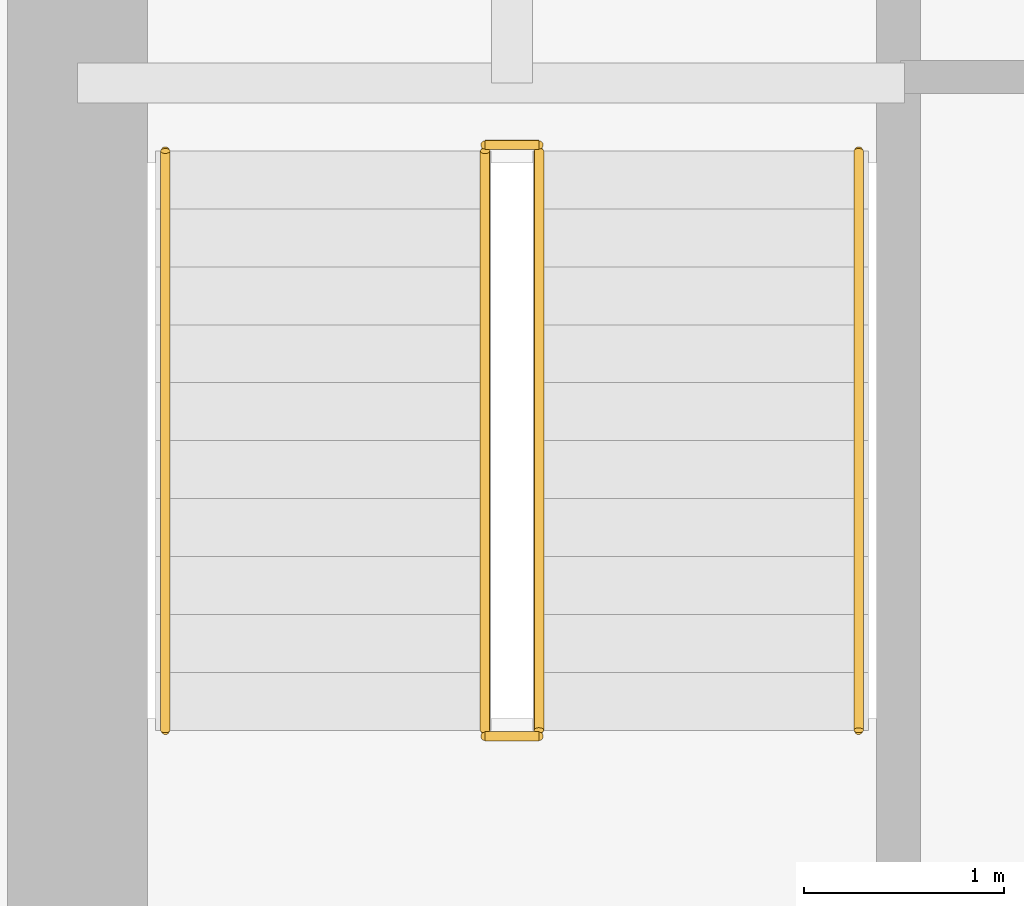
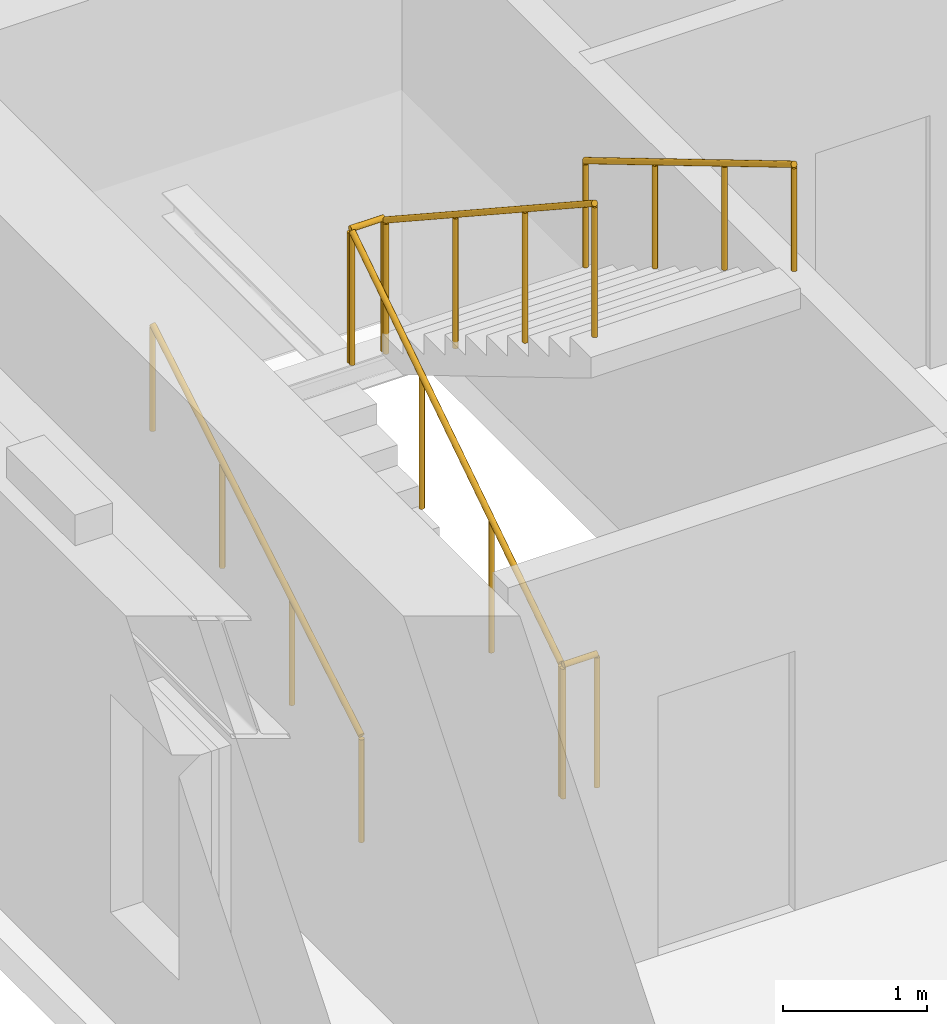
# One storey, part 14 of 16: 6 railings.
"""IFC4 building model written with IfcOpenShell, lengths in metres."""

from ifc_helpers import new_model, si_unit, direction, frame, origin, origin_2d, place, context, subcontext, project, spatial, circle, extrude, material, type_object, element, save


model = new_model("IFC4")

# Units and contexts
model_context = context("Model", 3, precision=1e-05, world=origin(), true_north=direction((0.0, 1.0)))
body_context = subcontext(model_context, "Body", "Model", "MODEL_VIEW")
ifc_project = project(units=[si_unit("LENGTHUNIT", "METRE"), si_unit("AREAUNIT", "SQUARE_METRE"), si_unit("VOLUMEUNIT", "CUBIC_METRE"), si_unit("PLANEANGLEUNIT", "RADIAN"), si_unit("MASSUNIT", "GRAM", prefix="KILO")], contexts=[model_context])

# Site, building, storey
site_placement = place(None, origin())
site = spatial("IfcSite", under=ifc_project, at=site_placement, CompositionType="ELEMENT")
building_placement = place(site_placement, origin())
building = spatial("IfcBuilding", under=site, at=building_placement, Name="Norrvale University Quadrangle", CompositionType="ELEMENT")
storey_placement = place(building_placement, frame((0.0, 0.0, 112.800048828125)))
storey = spatial("IfcBuildingStorey", under=building, at=storey_placement, Name="L28", CompositionType="ELEMENT", Elevation=112.800048828125)

# Railings
ifc_material_1 = material(Name="Steel 350W Painted Balustrade", Category="steel")
railing_type_1 = type_object("IfcRailingType", Name="Railing Stair Guard 1100", PredefinedType="GUARDRAIL", material=ifc_material_1)
for number, where, name in (
    (1, (4.239990234375, 42.02001953125, 0.0), "Stair Floor Well Guard ST-02 L28"),
    (2, (4.239990234375, 44.97998046875, 1.89990234375), "Stair Mid-Landing Slot Guard ST-02 L28"),
):
    element("IfcRailing", number, at=place(storey_placement, frame(where)), inside=storey, type_object=railing_type_1, Name=name, PredefinedType="GUARDRAIL", context=body_context, shape_type="SweptSolid", body=[
        extrude(circle(Radius=0.02392578125, at=origin_2d()), frame((0.0, 0.0, 1.1259765625), z_axis=(1.0, 0.0, 0.0), x_axis=(0.0, 1.0, 0.0)), (0.0, 0.0, 1.0), 0.27001953125),
        extrude(circle(Radius=0.02099609375, at=origin_2d()), origin(), (0.0, 0.0, 1.0), 1.101806640625),
        extrude(circle(Radius=0.02099609375, at=origin_2d()), frame((0.27001953125, 0.0, 0.0)), (0.0, 0.0, 1.0), 1.101806640625),
    ])
railing_1_placement = place(storey_placement, frame((4.239990234375, 42.050048828125, 0.0)))
element("IfcRailing", 3, at=railing_1_placement, inside=storey, type_object=railing_type_1, Name="Stair Lower Flight Inner Guard ST-02 L28", PredefinedType="GUARDRAIL", context=body_context, shape_type="SweptSolid", body=[
    extrude(circle(Radius=0.02392578125, at=origin_2d()), frame((0.0, 0.0, 1.1259765625), z_axis=(0.0, 0.836465582154, 0.548019461216), x_axis=(-1.0, 0.0, 0.0)), (0.0, 0.0, 1.0), 3.466796875),
    extrude(circle(Radius=0.02099609375, at=origin_2d()), origin(), (0.0, 0.0, 1.0), 1.101806640625),
    extrude(circle(Radius=0.02099609375, at=origin_2d()), frame((0.0, 0.966552734375, 0.63330078125)), (0.0, 0.0, 1.0), 1.101806640625),
    extrude(circle(Radius=0.02099609375, at=origin_2d()), frame((0.0, 1.933349609375, 1.2666015625)), (0.0, 0.0, 1.0), 1.101806640625),
    extrude(circle(Radius=0.02099609375, at=origin_2d()), frame((0.0, 2.89990234375, 1.89990234375)), (0.0, 0.0, 1.0), 1.101806640625),
])
railing_2_placement = place(storey_placement, frame((4.510009765625, 44.949951171875, 1.89990234375)))
element("IfcRailing", 4, at=railing_2_placement, inside=storey, type_object=railing_type_1, Name="Stair Upper Flight Inner Guard ST-02 L28", PredefinedType="GUARDRAIL", context=body_context, shape_type="SweptSolid", body=[
    extrude(circle(Radius=0.02392578125, at=origin_2d()), frame((0.0, 0.0, 1.1259765625), z_axis=(0.0, -0.836433300813, 0.548068730445), x_axis=(1.0, 0.0, 0.0)), (0.0, 0.0, 1.0), 3.467041015625),
    extrude(circle(Radius=0.02099609375, at=origin_2d()), origin(), (0.0, 0.0, 1.0), 1.101806640625),
    extrude(circle(Radius=0.02099609375, at=origin_2d()), frame((0.0, -0.966552734375, 0.63330078125)), (0.0, 0.0, 1.0), 1.101806640625),
    extrude(circle(Radius=0.02099609375, at=origin_2d()), frame((0.0, -1.933349609375, 1.266845703125)), (0.0, 0.0, 1.0), 1.101806640625),
    extrude(circle(Radius=0.02099609375, at=origin_2d()), frame((0.0, -2.89990234375, 1.900146484375)), (0.0, 0.0, 1.0), 1.101806640625),
])
ifc_material_2 = material(Name="Stainless Steel 316L Handrail", Category="steel")
railing_type_2 = type_object("IfcRailingType", Name="Railing Stair Handrail 920", PredefinedType="HANDRAIL", material=ifc_material_2)
railing_3_placement = place(storey_placement, frame((2.639892578125, 42.050048828125, 0.172607421875)))
element("IfcRailing", 5, at=railing_3_placement, inside=storey, type_object=railing_type_2, Name="Stair Lower Flight Handrail ST-02 L28", PredefinedType="HANDRAIL", context=body_context, shape_type="SweptSolid", body=[
    extrude(circle(Radius=0.02392578125, at=origin_2d()), frame((0.0, 0.0, 0.89599609375), z_axis=(0.0, 0.859141464434, 0.511738159696), x_axis=(-1.0, 0.0, 0.0)), (0.0, 0.0, 1.0), 3.375244140625),
    extrude(circle(Radius=0.02099609375, at=origin_2d()), origin(), (0.0, 0.0, 1.0), 0.871826171875),
    extrude(circle(Radius=0.02099609375, at=origin_2d()), frame((0.0, 0.966552734375, 0.57568359375)), (0.0, 0.0, 1.0), 0.871826171875),
    extrude(circle(Radius=0.02099609375, at=origin_2d()), frame((0.0, 1.933349609375, 1.151611328125)), (0.0, 0.0, 1.0), 0.871826171875),
    extrude(circle(Radius=0.02099609375, at=origin_2d()), frame((0.0, 2.89990234375, 1.727294921875)), (0.0, 0.0, 1.0), 0.871826171875),
])
railing_4_placement = place(storey_placement, frame((6.110107421875, 44.949951171875, 2.07275390625)))
element("IfcRailing", 6, at=railing_4_placement, inside=storey, type_object=railing_type_2, Name="Stair Upper Flight Handrail ST-02 L28", PredefinedType="HANDRAIL", context=body_context, shape_type="SweptSolid", body=[
    extrude(circle(Radius=0.02392578125, at=origin_2d()), frame((0.0, 0.0, 0.89599609375), z_axis=(0.0, -0.859141464434, 0.511738159696), x_axis=(1.0, 0.0, 0.0)), (0.0, 0.0, 1.0), 3.375244140625),
    extrude(circle(Radius=0.02099609375, at=origin_2d()), origin(), (0.0, 0.0, 1.0), 0.871826171875),
    extrude(circle(Radius=0.02099609375, at=origin_2d()), frame((0.0, -0.966552734375, 0.57568359375)), (0.0, 0.0, 1.0), 0.871826171875),
    extrude(circle(Radius=0.02099609375, at=origin_2d()), frame((0.0, -1.933349609375, 1.151611328125)), (0.0, 0.0, 1.0), 0.871826171875),
    extrude(circle(Radius=0.02099609375, at=origin_2d()), frame((0.0, -2.89990234375, 1.727294921875)), (0.0, 0.0, 1.0), 0.871826171875),
])

save(model, "model.ifc")
